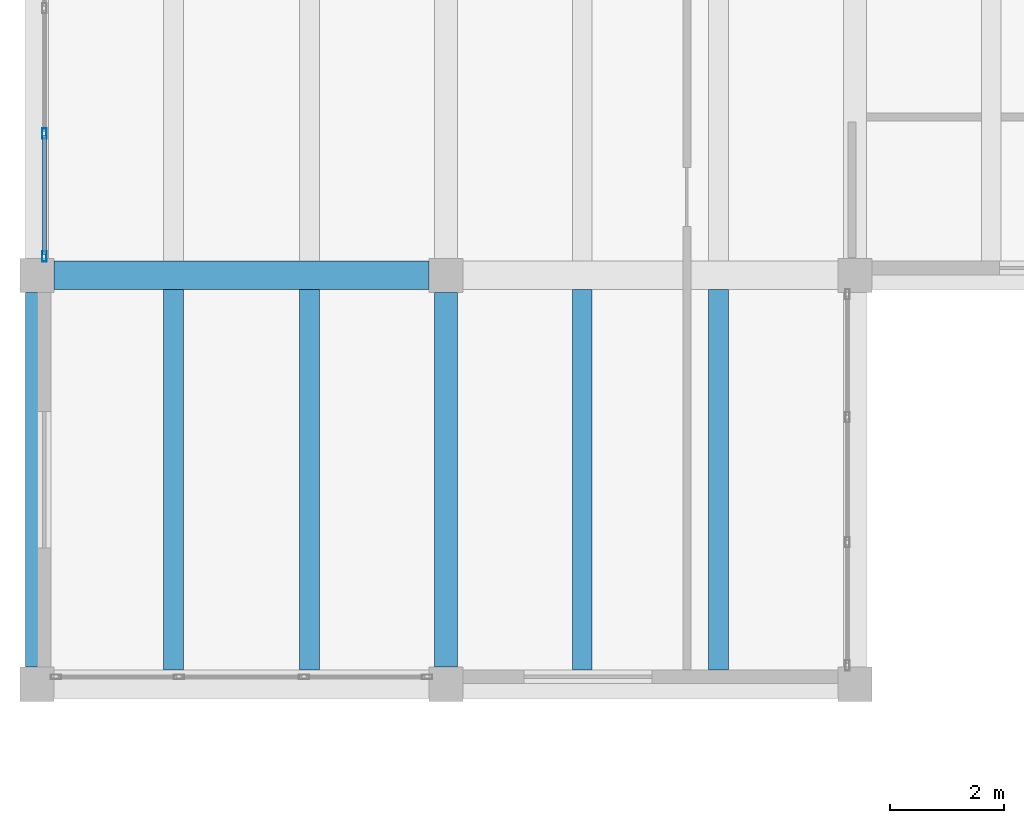
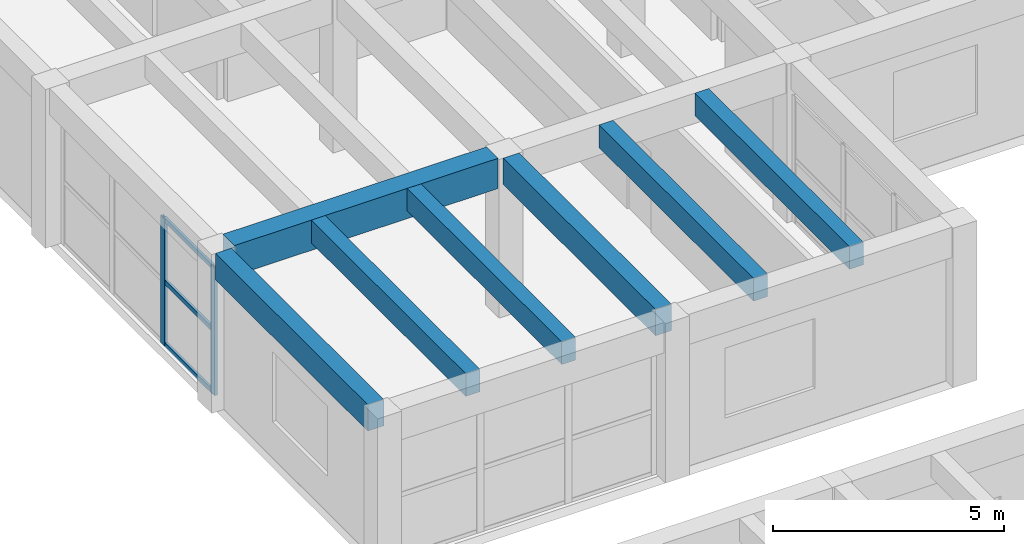
# One storey, part 60 of 153: 7 beams, 5 members, 1 element without a shape of its own.
"""IFC4 building model written with IfcOpenShell, lengths in metres."""

from ifc_helpers import new_model, si_unit, direction, frame, origin, origin_2d, place, context, subcontext, project, spatial, rectangle, hollow_rectangle, extrude, material, material_profile, profile_set, type_object, element, aggregate, save


model = new_model("IFC4")

# Units and contexts
model_context = context("Model", 3, precision=1e-05, world=origin(), true_north=direction((0.0, 1.0)))
body_context = subcontext(model_context, "Body", "Model", "MODEL_VIEW")
ifc_project = project(units=[si_unit("LENGTHUNIT", "METRE"), si_unit("AREAUNIT", "SQUARE_METRE"), si_unit("VOLUMEUNIT", "CUBIC_METRE"), si_unit("PLANEANGLEUNIT", "RADIAN"), si_unit("MASSUNIT", "GRAM", prefix="KILO")], contexts=[model_context])

# Site, building, storey
site_placement = place(None, origin())
site = spatial("IfcSite", under=ifc_project, at=site_placement, CompositionType="ELEMENT")
building_placement = place(site_placement, origin())
building = spatial("IfcBuilding", under=site, at=building_placement, Name="Bramvelor Terrace Health Centre", CompositionType="ELEMENT")
storey_placement = place(building_placement, frame((0.0, 0.0, 4.800048828125)))
storey = spatial("IfcBuildingStorey", under=building, at=storey_placement, Name="L02", CompositionType="ELEMENT", Elevation=4.800048828125)

# Beams
ifc_material_1 = material(Name="Concrete C40/50", Category="concrete")
ifc_material_profile_1 = material_profile(ifc_material_1, rectangle(XDim=0.39990234375, YDim=0.699951171875, at=origin_2d()), Name="RC 400x700")
ifc_profile_set_1 = profile_set([ifc_material_profile_1], Name="Concrete C40/50")
beam_type_1 = type_object("IfcBeamType", Name="BM-RC-G700", PredefinedType="BEAM", material=ifc_profile_set_1)
beam_1_placement = place(storey_placement, frame((7.199951171875, 72.300048828125, 3.849853515625), z_axis=(0.0, 1.0, 0.0), x_axis=(-1.0, 0.0, 0.0)))
element("IfcBeam", 1, at=beam_1_placement, inside=storey, type_object=beam_type_1, Name="L02 Floor Girder", PredefinedType="BEAM", context=body_context, shape_type="SweptSolid", body=[
    extrude(rectangle(XDim=0.39990234375, YDim=0.699951171875, at=origin_2d()), origin(), (0.0, 0.0, 1.0), 6.599853515625),
])
ifc_material_2 = material(Name="Concrete C40/50", Category="concrete")
ifc_material_profile_2 = material_profile(ifc_material_2, rectangle(XDim=0.5, YDim=0.800048828125, at=origin_2d()), Name="RC 500x800")
ifc_profile_set_2 = profile_set([ifc_material_profile_2], Name="Concrete C40/50")
beam_type_2 = type_object("IfcBeamType", Name="BM-RC-G800", PredefinedType="BEAM", material=ifc_profile_set_2)
beam_2_placement = place(storey_placement, frame((0.300048828125, 79.199951171875, 3.800048828125), z_axis=(1.0, 0.0, 0.0), x_axis=(0.0, 1.0, 0.0)))
element("IfcBeam", 2, at=beam_2_placement, inside=storey, type_object=beam_type_2, Name="L02 Floor Girder", PredefinedType="BEAM", context=body_context, shape_type="SweptSolid", body=[
    extrude(rectangle(XDim=0.5, YDim=0.800048828125, at=origin_2d()), origin(), (0.0, 0.0, 1.0), 6.599853515625),
])
ifc_material_3 = material(Name="Concrete C40/50", Category="concrete")
ifc_material_profile_3 = material_profile(ifc_material_3, rectangle(XDim=0.35009765625, YDim=0.60009765625, at=origin_2d()), Name="RC 350x600")
ifc_profile_set_3 = profile_set([ifc_material_profile_3], Name="Concrete C40/50")
beam_type_3 = type_object("IfcBeamType", Name="BM-RC-J600", PredefinedType="JOIST", material=ifc_profile_set_3)
for number, where, z_axis, x_axis, name in (
    (3, (2.39990234375, 72.25, 3.89990234375), (0.0, 1.0, 0.0), (-1.0, 0.0, 0.0), "L02 Secondary Floor Joist"),
    (4, (4.800048828125, 72.25, 3.89990234375), (0.0, 1.0, 0.0), (-1.0, 0.0, 0.0), "L02 Secondary Floor Joist"),
    (5, (9.60009765625, 72.25, 3.89990234375), (0.0, 1.0, 0.0), (-1.0, 0.0, 0.0), "L02 Secondary Floor Joist"),
    (6, (12.0, 72.25, 3.89990234375), (0.0, 1.0, 0.0), (-1.0, 0.0, 0.0), "L02 Secondary Floor Joist"),
):
    element("IfcBeam", number, at=place(storey_placement, frame(where, z_axis=z_axis, x_axis=x_axis)), inside=storey, type_object=beam_type_3, Name=name, PredefinedType="JOIST", context=body_context, shape_type="SweptSolid", body=[
        extrude(rectangle(XDim=0.35009765625, YDim=0.60009765625, at=origin_2d()), origin(), (0.0, 0.0, 1.0), 6.699951171875),
    ])
ifc_material_4 = material(Name="Concrete C40/50", Category="concrete")
ifc_material_profile_4 = material_profile(ifc_material_4, rectangle(XDim=0.39990234375, YDim=0.699951171875, at=origin_2d()), Name="RC 400x700")
ifc_profile_set_4 = profile_set([ifc_material_profile_4], Name="Concrete C40/50")
beam_type_4 = type_object("IfcBeamType", Name="BM-RC-SP700-EXT", PredefinedType="SPANDREL", material=ifc_profile_set_4)
beam_3_placement = place(storey_placement, frame((0.0, 72.300048828125, 3.849853515625), z_axis=(0.0, 1.0, 0.0), x_axis=(-1.0, 0.0, 0.0)))
element("IfcBeam", 7, at=beam_3_placement, inside=storey, type_object=beam_type_4, Name="L02 Floor Girder", PredefinedType="SPANDREL", context=body_context, shape_type="SweptSolid", body=[
    extrude(rectangle(XDim=0.39990234375, YDim=0.699951171875, at=origin_2d()), origin(), (0.0, 0.0, 1.0), 6.599853515625),
])

# Curtain wall, members
ifc_material_5 = material(Name="Anodized aluminium and double low-E glass", Category="aluminium")
curtain_wall_type = type_object("IfcCurtainWallType", Name="CW-SYS-12", PredefinedType="NOTDEFINED", material=ifc_material_5)
curtain_wall_placement = place(storey_placement, origin())
curtain_wall = element("IfcCurtainWall", 8, at=curtain_wall_placement, inside=storey, type_object=curtain_wall_type, Name="L02 Unitized Curtain Wall 77", PredefinedType="NOTDEFINED")
ifc_material_6 = material(Name="Anodized aluminium 6063-T6", Category="aluminium")
ifc_material_profile_5 = material_profile(ifc_material_6, hollow_rectangle(XDim=0.074951171875, YDim=0.179931640625, WallThickness=0.00341796875, at=origin_2d()), Name="ALU-MUL 75x180x3.5")
ifc_profile_set_5 = profile_set([ifc_material_profile_5], Name="Anodized aluminium 6063-T6")
member_type_1 = type_object("IfcMemberType", Name="CW-MUL-65x180", PredefinedType="MULLION", material=ifc_profile_set_5)
member_1_placement = place(storey_placement, frame((0.1298828125, 79.532470703125, 0.0), z_axis=(0.0, 0.0, 1.0), x_axis=(-1.0, 0.0, 0.0)))
member_1 = element("IfcMember", 9, at=member_1_placement, type_object=member_type_1, Name="CW-12 mullion 1", PredefinedType="MULLION", context=body_context, shape_type="SweptSolid", body=[
    extrude(hollow_rectangle(XDim=0.074951171875, YDim=0.179931640625, WallThickness=0.00341796875, at=origin_2d()), origin(), (0.0, 0.0, 1.0), 3.35986328125),
])
member_2_placement = place(storey_placement, frame((0.1298828125, 81.6982421875, 0.0), z_axis=(0.0, 0.0, 1.0), x_axis=(-1.0, 0.0, 0.0)))
member_2 = element("IfcMember", 10, at=member_2_placement, type_object=member_type_1, Name="CW-12 mullion 2", PredefinedType="MULLION", context=body_context, shape_type="SweptSolid", body=[
    extrude(hollow_rectangle(XDim=0.074951171875, YDim=0.179931640625, WallThickness=0.00341796875, at=origin_2d()), origin(), (0.0, 0.0, 1.0), 3.35986328125),
])
ifc_material_7 = material(Name="Anodized aluminium 6063-T6", Category="aluminium")
ifc_material_profile_6 = material_profile(ifc_material_7, hollow_rectangle(XDim=0.06494140625, YDim=0.1201171875, WallThickness=0.0029296875, at=origin_2d()), Name="ALU-TRN 65x120x3.0")
ifc_profile_set_6 = profile_set([ifc_material_profile_6], Name="Anodized aluminium 6063-T6")
member_type_2 = type_object("IfcMemberType", Name="CW-TRN-65x150", PredefinedType="USERDEFINED", material=ifc_profile_set_6)
member_3_placement = place(storey_placement, frame((0.1298828125, 79.570068359375, 0.032470703125), z_axis=(0.0, 1.0, 0.0), x_axis=(-1.0, 0.0, 0.0)))
member_3 = element("IfcMember", 11, at=member_3_placement, type_object=member_type_2, Name="CW-12 transom 1.1", ObjectType="TRANSOM", PredefinedType="USERDEFINED", context=body_context, shape_type="SweptSolid", body=[
    extrude(hollow_rectangle(XDim=0.06494140625, YDim=0.1201171875, WallThickness=0.0029296875, at=origin_2d()), origin(), (0.0, 0.0, 1.0), 2.0908203125),
])
member_4_placement = place(storey_placement, frame((0.1298828125, 79.570068359375, 1.679931640625), z_axis=(0.0, 1.0, 0.0), x_axis=(-1.0, 0.0, 0.0)))
member_4 = element("IfcMember", 12, at=member_4_placement, type_object=member_type_2, Name="CW-12 transom 1.2", ObjectType="TRANSOM", PredefinedType="USERDEFINED", context=body_context, shape_type="SweptSolid", body=[
    extrude(hollow_rectangle(XDim=0.06494140625, YDim=0.1201171875, WallThickness=0.0029296875, at=origin_2d()), origin(), (0.0, 0.0, 1.0), 2.0908203125),
])
member_5_placement = place(storey_placement, frame((0.1298828125, 79.570068359375, 3.327392578125), z_axis=(0.0, 1.0, 0.0), x_axis=(-1.0, 0.0, 0.0)))
member_5 = element("IfcMember", 13, at=member_5_placement, type_object=member_type_2, Name="CW-12 transom 1.3", ObjectType="TRANSOM", PredefinedType="USERDEFINED", context=body_context, shape_type="SweptSolid", body=[
    extrude(hollow_rectangle(XDim=0.06494140625, YDim=0.1201171875, WallThickness=0.0029296875, at=origin_2d()), origin(), (0.0, 0.0, 1.0), 2.0908203125),
])
aggregate(curtain_wall, [member_1, member_2, member_3, member_4, member_5])

save(model, "model.ifc")
